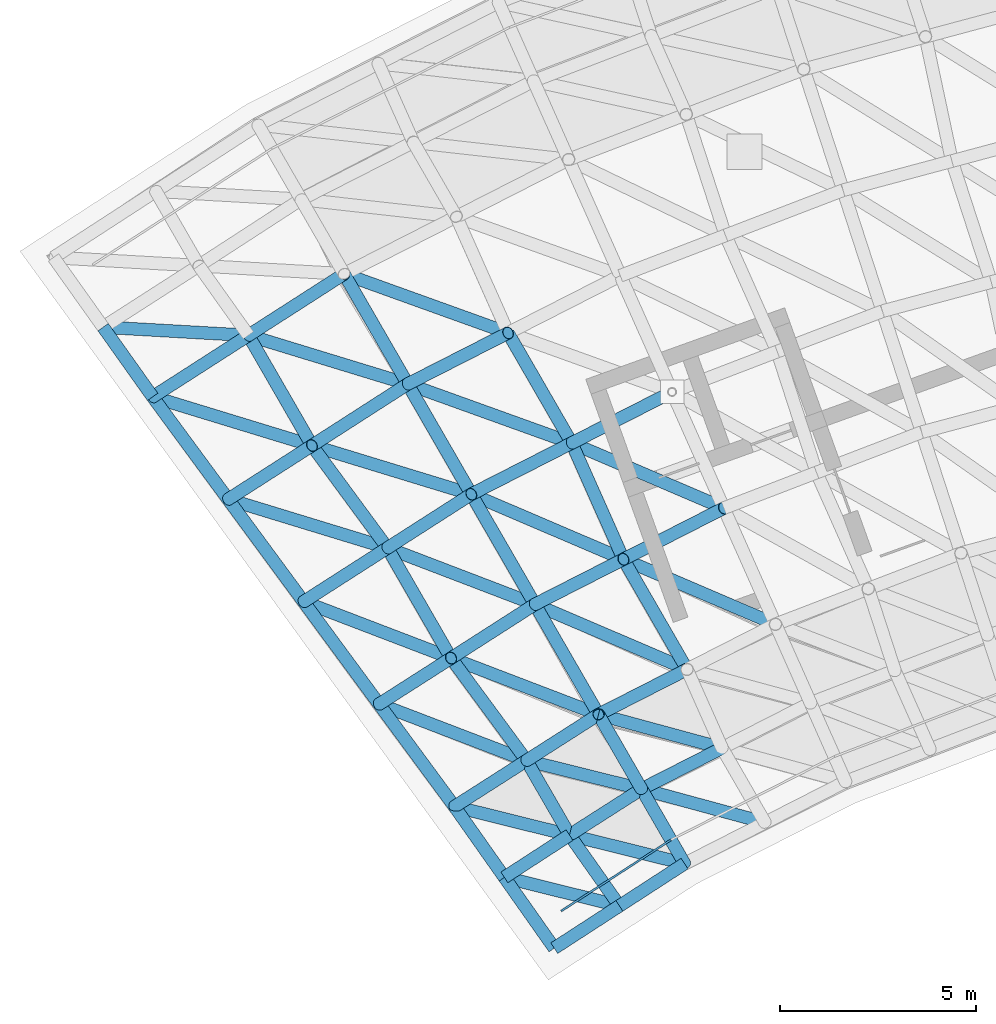
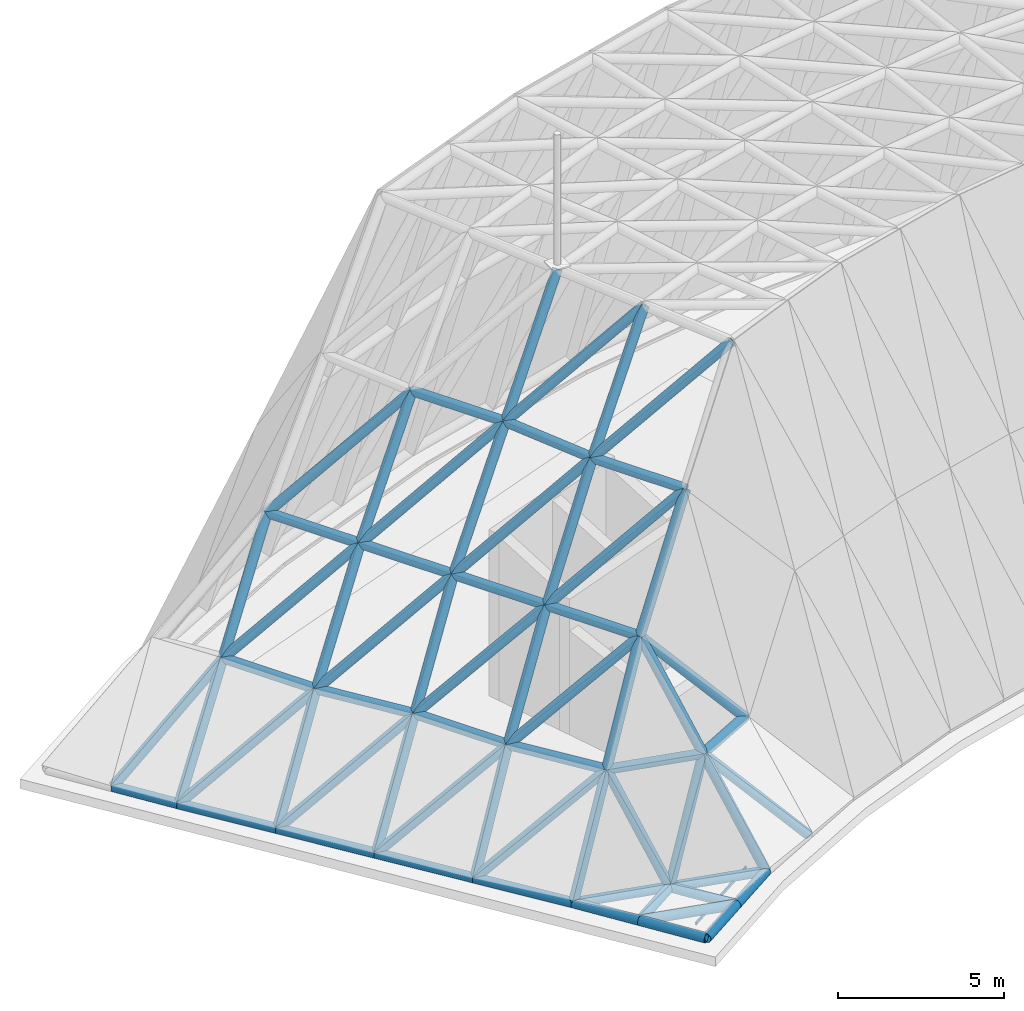
# One storey, part 1 of 20: 65 members.
"""IFC4 building model written with IfcOpenShell, lengths in metres."""

import ifcopenshell
import ifcopenshell.guid

model = None  # the IFC model being written
_history = None  # IfcOwnerHistory: only IFC2X3 demands one
_inside = {}  # id of a spatial element -> (the spatial element, [elements in it])
_under = {}  # id of a project, library or spatial element -> (it, [spatial elements below it])
_declared = {}  # id of a project -> (the project, [libraries it declares])
_typed = {}  # id of a type object -> (the type object, [elements of that type])
_made_of = {}  # id of a material, layer set ... -> (it, [elements and type objects made of it])


def new_model(schema):
    """Start an empty IFC model of exactly this schema.

    Asked for "IFC4X3", IfcOpenShell would pick the latest addendum, in which some entities
    have other attributes; the version numbers below select the first issue.
    IFC2X3 requires an IfcOwnerHistory on every rooted entity: one is made here for all.
    """
    global model, _history
    if schema == "IFC4X3":
        model = ifcopenshell.file(schema_version=(4, 3, 0, 0))
    else:
        model = ifcopenshell.file(schema=schema)
    _inside.clear()
    _under.clear()
    _declared.clear()
    _typed.clear()
    _made_of.clear()
    _history = None
    if model.schema == "IFC2X3":
        org = make("IfcOrganization", Name="unknown")
        user = make(
            "IfcPersonAndOrganization",
            ThePerson=make("IfcPerson", FamilyName="unknown"),
            TheOrganization=org,
        )
        app = make(
            "IfcApplication",
            ApplicationDeveloper=org,
            Version="unknown",
            ApplicationFullName="unknown",
            ApplicationIdentifier="unknown",
        )
        _history = make(
            "IfcOwnerHistory",
            OwningUser=user,
            OwningApplication=app,
            ChangeAction="ADDED",
            CreationDate=0,
        )
    return model


def make(cls, **values):
    """One entity of the class cls with the attributes given. An attribute that is None is left unset."""
    return model.create_entity(
        cls, **{name: value for name, value in values.items() if value is not None}
    )


def rooted(cls, **values):
    """An entity with a GlobalId (a new one), such as an element, a storey or a relation."""
    return make(cls, GlobalId=ifcopenshell.guid.new(), OwnerHistory=_history, **values)


def si_unit(unit_type, name, prefix=None):
    """IfcSIUnit, for example si_unit("LENGTHUNIT", "METRE", prefix="MILLI")."""
    return make("IfcSIUnit", UnitType=unit_type, Prefix=prefix, Name=name)


def assignment(units):
    """IfcUnitAssignment: the units of a project."""
    return None if units is None else make("IfcUnitAssignment", Units=units)


def point(xyz):
    """IfcCartesianPoint."""
    return None if xyz is None else make("IfcCartesianPoint", Coordinates=xyz)


def direction(xyz):
    """IfcDirection."""
    return None if xyz is None else make("IfcDirection", DirectionRatios=xyz)


def frame(location, z_axis=None, x_axis=None):
    """IfcAxis2Placement3D, a coordinate frame: its origin and axes. An axis left out is left unset."""
    return make(
        "IfcAxis2Placement3D",
        Location=point(location),
        Axis=direction(z_axis),
        RefDirection=direction(x_axis),
    )


def frame_2d(location, x_axis=None):
    """IfcAxis2Placement2D, a coordinate frame in the plane: its origin and x axis."""
    return make(
        "IfcAxis2Placement2D", Location=point(location), RefDirection=direction(x_axis)
    )


def origin():
    """The frame at (0, 0, 0) with its axes left unset."""
    return frame((0.0, 0.0, 0.0))


def origin_2d():
    """The frame at (0, 0) in the plane with its x axis left unset."""
    return frame_2d((0.0, 0.0))


def place(relative_to, where):
    """IfcLocalPlacement: puts the frame where relative to a parent placement (None: the world)."""
    return make(
        "IfcLocalPlacement", PlacementRelTo=relative_to, RelativePlacement=where
    )


def context(
    kind, dimensions, precision=None, world=None, true_north=None, identifier=None
):
    """IfcGeometricRepresentationContext, for example the 3D "Model" context."""
    return make(
        "IfcGeometricRepresentationContext",
        ContextIdentifier=identifier,
        ContextType=kind,
        CoordinateSpaceDimension=dimensions,
        Precision=precision,
        WorldCoordinateSystem=world,
        TrueNorth=true_north,
    )


def subcontext(parent, identifier, kind, view, scale=None):
    """IfcGeometricRepresentationSubContext, for example "Body" below "Model"."""
    return make(
        "IfcGeometricRepresentationSubContext",
        ContextIdentifier=identifier,
        ContextType=kind,
        ParentContext=parent,
        TargetScale=scale,
        TargetView=view,
    )


def project(units=None, contexts=None):
    """IfcProject with its units and contexts."""
    return rooted(
        "IfcProject",
        Name="project",
        RepresentationContexts=contexts,
        UnitsInContext=assignment(units),
    )


def spatial(cls, under=None, at=None, **own):
    """A site, building, storey or space (cls), placed at a placement, below another one or the project."""
    s = rooted(cls, ObjectPlacement=at, **own)
    if under is not None:
        _under.setdefault(under.id(), (under, []))[1].append(s)
    return s


def profile(cls, at=None, kind="AREA", **sizes):
    """A parametric profile (cls). Its sizes go by their IFC names, for example OverallWidth=200.0."""
    return make(cls, ProfileType=kind, Position=at, **sizes)


def rectangle(**sizes):
    """IfcRectangleProfileDef."""
    return profile("IfcRectangleProfileDef", **sizes)


def hollow_circle(**sizes):
    """IfcCircleHollowProfileDef."""
    return profile("IfcCircleHollowProfileDef", **sizes)


def extrude(swept, where, along, depth):
    """IfcExtrudedAreaSolid: the profile swept, set in the frame where, extruded along a direction by depth."""
    return make(
        "IfcExtrudedAreaSolid",
        SweptArea=swept,
        Position=where,
        ExtrudedDirection=direction(along),
        Depth=depth,
    )


def shape(context_of_items, identifier, shape_type, items):
    """IfcShapeRepresentation: the items that make up one representation, for example the "Body"."""
    return make(
        "IfcShapeRepresentation",
        ContextOfItems=context_of_items,
        RepresentationIdentifier=identifier,
        RepresentationType=shape_type,
        Items=items,
    )


def material(Name=None, Category=None):
    """IfcMaterial."""
    return make("IfcMaterial", Name=Name, Category=Category)


def material_profile(
    of_material, cross_section, Name=None, Category=None, Priority=None
):
    """IfcMaterialProfile: a cross section and its material."""
    return make(
        "IfcMaterialProfile",
        Name=Name,
        Material=of_material,
        Profile=cross_section,
        Priority=Priority,
        Category=Category,
    )


def profile_set(profiles, Name=None, composite=None):
    """IfcMaterialProfileSet."""
    return make(
        "IfcMaterialProfileSet",
        Name=Name,
        MaterialProfiles=profiles,
        CompositeProfile=composite,
    )


def made_of(thing, what):
    """Note that an element or type object is made of a material, layer set ...; save() writes the relation."""
    if what is not None:
        _made_of.setdefault(what.id(), (what, []))[1].append(thing)
    return thing


def type_object(cls, material=None, **own):
    """A type object (cls), such as IfcWallType, which elements share."""
    return made_of(rooted(cls, **own), material)


def element(
    cls,
    number,
    at=None,
    inside=None,
    cuts=None,
    type_object=None,
    material=None,
    context=None,
    identifier="Body",
    shape_type=None,
    held_by="IfcProductDefinitionShape",
    body=None,
    shapes=None,
    **own,
):
    """One element of the class cls, such as IfcWall. Its Tag is "e" and its number.

    at: its placement. inside: the storey or other place that contains it. cuts: it is an
    opening in that element (IfcRelVoidsElement). A single representation is given by context,
    identifier, shape_type and body (its items); several are given by shapes. held_by: the class
    of the entity that holds the representations. save() writes the other relations.
    """
    e = rooted(cls, Tag="e%d" % number, ObjectPlacement=at, **own)
    if body is not None:
        shapes = [shape(context, identifier, shape_type, body)]
    if shapes is not None:
        e.Representation = make(held_by, Representations=shapes)
    if inside is not None:
        _inside.setdefault(inside.id(), (inside, []))[1].append(e)
    if cuts is not None:
        rooted(
            "IfcRelVoidsElement", RelatingBuildingElement=cuts, RelatedOpeningElement=e
        )
    if type_object is not None:
        _typed.setdefault(type_object.id(), (type_object, []))[1].append(e)
    return made_of(e, material)


def aggregate(whole, parts):
    """IfcRelAggregates: a whole, such as a stair, and the parts it consists of."""
    return rooted("IfcRelAggregates", RelatingObject=whole, RelatedObjects=parts)


def save(model, path):
    """Write the relations noted so far, then the file.

    IfcRelAggregates (storeys below a building ...), IfcRelContainedInSpatialStructure (elements
    in a storey), IfcRelDefinesByType, IfcRelAssociatesMaterial and IfcRelDeclares: one each for
    every whole, place, type object, material and project.
    """
    for whole, parts in _under.values():
        aggregate(whole, parts)
    for where, things in _inside.values():
        rooted(
            "IfcRelContainedInSpatialStructure",
            RelatedElements=things,
            RelatingStructure=where,
        )
    for kind, things in _typed.values():
        rooted("IfcRelDefinesByType", RelatedObjects=things, RelatingType=kind)
    for what, things in _made_of.values():
        rooted("IfcRelAssociatesMaterial", RelatedObjects=things, RelatingMaterial=what)
    for by, libraries in _declared.values():
        rooted("IfcRelDeclares", RelatingContext=by, RelatedDefinitions=libraries)
    model.write(path)


model = new_model("IFC4")

# Units and contexts
model_context = context("Model", 3, precision=1e-05, world=origin(), true_north=direction((0.0, 1.0)))
body_context = subcontext(model_context, "Body", "Model", "MODEL_VIEW")
ifc_project = project(units=[si_unit("LENGTHUNIT", "METRE"), si_unit("AREAUNIT", "SQUARE_METRE"), si_unit("VOLUMEUNIT", "CUBIC_METRE"), si_unit("PLANEANGLEUNIT", "RADIAN"), si_unit("MASSUNIT", "GRAM", prefix="KILO")], contexts=[model_context])

# Site, building, storey
site_placement = place(None, origin())
site = spatial("IfcSite", under=ifc_project, at=site_placement, CompositionType="ELEMENT")
building_placement = place(site_placement, origin())
building = spatial("IfcBuilding", under=site, at=building_placement, Name="Stone Belt Terrace Tower", CompositionType="ELEMENT")
storey_placement = place(building_placement, frame((0.0, 0.0, 337.39990234375)))
storey = spatial("IfcBuildingStorey", under=building, at=storey_placement, Name="RF", CompositionType="ELEMENT", Elevation=337.39990234375)

# Members
ifc_material_1 = material(Name="Structural steel C345", Category="steel")
ifc_material_profile_1 = material_profile(ifc_material_1, hollow_circle(Radius=0.16259765625, WallThickness=0.011962890625, at=origin_2d()), Name="Structural steel C345 CHS 325x12")
ifc_profile_set_1 = profile_set([ifc_material_profile_1], Name="Structural steel C345")
member_type_1 = type_object("IfcMemberType", Name="Crown frame tube CHS 325 x 12", PredefinedType="RAFTER", material=ifc_profile_set_1)
member_1_placement = place(storey_placement, frame((-30.750244140625, 53.260498046875, 7.2802734375), z_axis=(-0.532227998514, -0.341854341863, -0.774512082893), x_axis=(0.54043066328, -0.841388553634, 0.0)))
element("IfcMember", 1, at=member_1_placement, inside=storey, type_object=member_type_1, Name="CROWN FRAME rafter 17", PredefinedType="RAFTER", context=body_context, shape_type="SweptSolid", body=[
    extrude(hollow_circle(Radius=0.16259765625, WallThickness=0.011962890625, at=origin_2d()), origin(), (0.0, 0.0, 1.0), 4.594970703125),
])
member_2_placement = place(storey_placement, frame((-30.750244140625, 53.260498046875, 7.2802734375), z_axis=(0.704596304109, -0.253559420474, 0.662760641955), x_axis=(0.338606862378, 0.940927942379, 0.0)))
element("IfcMember", 2, at=member_2_placement, inside=storey, type_object=member_type_1, Name="CROWN FRAME rafter 20", PredefinedType="RAFTER", context=body_context, shape_type="SweptSolid", body=[
    extrude(hollow_circle(Radius=0.16259765625, WallThickness=0.011962890625, at=origin_2d()), origin(), (0.0, 0.0, 1.0), 5.946533203125),
])
member_3_placement = place(storey_placement, frame((-36.908203125, 51.900146484375, 0.16259765625), z_axis=(0.721275825961, -0.040887791791, 0.691440070698), x_axis=(0.056597283362, 0.998397089096, 0.0)))
element("IfcMember", 3, at=member_3_placement, inside=storey, type_object=member_type_1, Name="CROWN FRAME rafter 21", PredefinedType="RAFTER", context=body_context, shape_type="SweptSolid", body=[
    extrude(hollow_circle(Radius=0.16259765625, WallThickness=0.011962890625, at=origin_2d()), origin(), (0.0, 0.0, 1.0), 5.14697265625),
])
member_4_placement = place(storey_placement, frame((-33.19580078125, 51.689697265625, 3.721435546875), z_axis=(-0.532275745532, -0.341797751148, -0.774504246618), x_axis=(0.540333004351, -0.841451272748, 0.0)))
element("IfcMember", 4, at=member_4_placement, inside=storey, type_object=member_type_1, Name="CROWN FRAME rafter 23", PredefinedType="RAFTER", context=body_context, shape_type="SweptSolid", body=[
    extrude(hollow_circle(Radius=0.16259765625, WallThickness=0.011962890625, at=origin_2d()), origin(), (0.0, 0.0, 1.0), 4.594970703125),
])
for number, where, z_axis, x_axis, name in (
    (5, (-33.19580078125, 51.689697265625, 3.721435546875), (0.733704925305, -0.224150946953, 0.64143077223), (0.292174819562, 0.956364927637, 0.0), "CROWN FRAME rafter 25"),
    (6, (-35.6416015625, 50.119140625, 0.16259765625), (0.73369768795, -0.224192738401, 0.641424445079), (0.292227278587, 0.956348899539, 0.0), "CROWN FRAME rafter 26"),
):
    element("IfcMember", number, at=place(storey_placement, frame(where, z_axis=z_axis, x_axis=x_axis)), inside=storey, type_object=member_type_1, Name=name, PredefinedType="RAFTER", context=body_context, shape_type="SweptSolid", body=[
        extrude(hollow_circle(Radius=0.16259765625, WallThickness=0.011962890625, at=origin_2d()), origin(), (0.0, 0.0, 1.0), 5.54833984375),
    ])
member_5_placement = place(storey_placement, frame((-31.57080078125, 48.875244140625, 3.721435546875), z_axis=(0.532266078716, 0.341844674631, 0.774490180619), x_axis=(-0.540392471391, 0.841413083369, 0.0)))
element("IfcMember", 7, at=member_5_placement, inside=storey, type_object=member_type_1, Name="CROWN FRAME rafter 28", PredefinedType="RAFTER", context=body_context, shape_type="SweptSolid", body=[
    extrude(hollow_circle(Radius=0.16259765625, WallThickness=0.011962890625, at=origin_2d()), origin(), (0.0, 0.0, 1.0), 4.594970703125),
])
member_6_placement = place(storey_placement, frame((-31.57080078125, 48.875244140625, 3.721435546875), z_axis=(0.73369768795, -0.224192738401, 0.641424445079), x_axis=(0.292227278587, 0.956348899539, 0.0)))
element("IfcMember", 8, at=member_6_placement, inside=storey, type_object=member_type_1, Name="CROWN FRAME rafter 29", PredefinedType="RAFTER", context=body_context, shape_type="SweptSolid", body=[
    extrude(hollow_circle(Radius=0.16259765625, WallThickness=0.011962890625, at=origin_2d()), origin(), (0.0, 0.0, 1.0), 5.54833984375),
])
member_7_placement = place(storey_placement, frame((-31.57080078125, 48.875244140625, 3.721435546875), z_axis=(-0.489758296584, -0.313876087306, -0.813399417718), x_axis=(0.539578947785, -0.841935008838, 0.0)))
element("IfcMember", 9, at=member_7_placement, inside=storey, type_object=member_type_1, Name="CROWN FRAME rafter 30", PredefinedType="RAFTER", context=body_context, shape_type="SweptSolid", body=[
    extrude(hollow_circle(Radius=0.16259765625, WallThickness=0.011962890625, at=origin_2d()), origin(), (0.0, 0.0, 1.0), 4.375244140625),
])
member_8_placement = place(storey_placement, frame((-29.125, 50.446044921875, 7.2802734375), z_axis=(0.525515861349, 0.267735448828, 0.807558548287), x_axis=(-0.453952464028, 0.891025903329, 0.0)))
element("IfcMember", 10, at=member_8_placement, inside=storey, type_object=member_type_1, Name="CROWN FRAME rafter 33", PredefinedType="RAFTER", context=body_context, shape_type="SweptSolid", body=[
    extrude(hollow_circle(Radius=0.16259765625, WallThickness=0.011962890625, at=origin_2d()), origin(), (0.0, 0.0, 1.0), 4.88037109375),
])
member_9_placement = place(storey_placement, frame((-29.125, 50.446044921875, 7.2802734375), z_axis=(0.704575629906, -0.253566755451, 0.662779814322), x_axis=(0.338624331117, 0.940921655812, 0.0)))
element("IfcMember", 11, at=member_9_placement, inside=storey, type_object=member_type_1, Name="CROWN FRAME rafter 34", PredefinedType="RAFTER", context=body_context, shape_type="SweptSolid", body=[
    extrude(hollow_circle(Radius=0.16259765625, WallThickness=0.011962890625, at=origin_2d()), origin(), (0.0, 0.0, 1.0), 5.946533203125),
])
member_10_placement = place(storey_placement, frame((-27.5, 47.63134765625, 7.2802734375), z_axis=(-0.489766873844, -0.313825783126, -0.813413662985), x_axis=(0.539510945529, -0.841978586221, 0.0)))
element("IfcMember", 12, at=member_10_placement, inside=storey, type_object=member_type_1, Name="CROWN FRAME rafter 35", PredefinedType="RAFTER", context=body_context, shape_type="SweptSolid", body=[
    extrude(hollow_circle(Radius=0.16259765625, WallThickness=0.011962890625, at=origin_2d()), origin(), (0.0, 0.0, 1.0), 4.375244140625),
])
member_11_placement = place(storey_placement, frame((-27.5, 47.63134765625, 7.2802734375), z_axis=(0.525508822311, 0.267781887276, 0.807547731419), x_axis=(-0.454019800421, 0.890991594139, 0.0)))
element("IfcMember", 13, at=member_11_placement, inside=storey, type_object=member_type_1, Name="CROWN FRAME rafter 37", PredefinedType="RAFTER", context=body_context, shape_type="SweptSolid", body=[
    extrude(hollow_circle(Radius=0.16259765625, WallThickness=0.011962890625, at=origin_2d()), origin(), (0.0, 0.0, 1.0), 4.88037109375),
])
member_12_placement = place(storey_placement, frame((-27.5, 47.63134765625, 7.2802734375), z_axis=(0.672507622543, -0.287589943107, 0.681927798411), x_axis=(0.393194254528, 0.919455424807, 0.0)))
element("IfcMember", 14, at=member_12_placement, inside=storey, type_object=member_type_1, Name="CROWN FRAME rafter 38", PredefinedType="RAFTER", context=body_context, shape_type="SweptSolid", body=[
    extrude(hollow_circle(Radius=0.16259765625, WallThickness=0.011962890625, at=origin_2d()), origin(), (0.0, 0.0, 1.0), 5.779541015625),
])
member_13_placement = place(storey_placement, frame((-33.713623046875, 47.501953125, 0.16259765625), z_axis=(0.733704925305, -0.224150946953, 0.64143077223), x_axis=(0.292174819562, 0.956364927637, 0.0)))
element("IfcMember", 15, at=member_13_placement, inside=storey, type_object=member_type_1, Name="CROWN FRAME rafter 39", PredefinedType="RAFTER", context=body_context, shape_type="SweptSolid", body=[
    extrude(hollow_circle(Radius=0.16259765625, WallThickness=0.011962890625, at=origin_2d()), origin(), (0.0, 0.0, 1.0), 5.54833984375),
])
member_14_placement = place(storey_placement, frame((-29.642822265625, 46.25830078125, 3.721435546875), z_axis=(-0.489715879065, -0.313884664966, -0.813421646436), x_axis=(0.539622528456, -0.841907077285, 0.0)))
element("IfcMember", 16, at=member_14_placement, inside=storey, type_object=member_type_1, Name="CROWN FRAME rafter 41", PredefinedType="RAFTER", context=body_context, shape_type="SweptSolid", body=[
    extrude(hollow_circle(Radius=0.16259765625, WallThickness=0.011962890625, at=origin_2d()), origin(), (0.0, 0.0, 1.0), 4.375244140625),
])
for number, where, z_axis, x_axis, name in (
    (17, (-29.642822265625, 46.25830078125, 3.721435546875), (0.700398437662, -0.267942226136, 0.661550445525), (0.35730362498, 0.933988286638, 0.0), "CROWN FRAME rafter 43"),
    (18, (-31.785400390625, 44.885009765625, 0.16259765625), (0.700398437662, -0.267942226136, 0.661550445525), (0.35730362498, 0.933988286638, 0.0), "CROWN FRAME rafter 44"),
):
    element("IfcMember", number, at=place(storey_placement, frame(where, z_axis=z_axis, x_axis=x_axis)), inside=storey, type_object=member_type_1, Name=name, PredefinedType="RAFTER", context=body_context, shape_type="SweptSolid", body=[
        extrude(hollow_circle(Radius=0.16259765625, WallThickness=0.011962890625, at=origin_2d()), origin(), (0.0, 0.0, 1.0), 5.379638671875),
    ])
member_15_placement = place(storey_placement, frame((-28.017578125, 43.443603515625, 3.721435546875), z_axis=(0.489715879065, 0.313884664966, 0.813421646436), x_axis=(-0.539622528456, 0.841907077285, 0.0)))
element("IfcMember", 19, at=member_15_placement, inside=storey, type_object=member_type_1, Name="CROWN FRAME rafter 46", PredefinedType="RAFTER", context=body_context, shape_type="SweptSolid", body=[
    extrude(hollow_circle(Radius=0.16259765625, WallThickness=0.011962890625, at=origin_2d()), origin(), (0.0, 0.0, 1.0), 4.375244140625),
])
member_16_placement = place(storey_placement, frame((-28.017578125, 43.443603515625, 3.721435546875), z_axis=(0.700398437662, -0.267942226136, 0.661550445525), x_axis=(0.35730362498, 0.933988286638, 0.0)))
element("IfcMember", 20, at=member_16_placement, inside=storey, type_object=member_type_1, Name="CROWN FRAME rafter 47", PredefinedType="RAFTER", context=body_context, shape_type="SweptSolid", body=[
    extrude(hollow_circle(Radius=0.16259765625, WallThickness=0.011962890625, at=origin_2d()), origin(), (0.0, 0.0, 1.0), 5.379638671875),
])
member_17_placement = place(storey_placement, frame((-28.017578125, 43.443603515625, 3.721435546875), z_axis=(-0.440660728327, -0.281552734461, -0.852376783018), x_axis=(0.538415746129, -0.842679348459, 0.0)))
element("IfcMember", 21, at=member_17_placement, inside=storey, type_object=member_type_1, Name="CROWN FRAME rafter 48", PredefinedType="RAFTER", context=body_context, shape_type="SweptSolid", body=[
    extrude(hollow_circle(Radius=0.16259765625, WallThickness=0.011962890625, at=origin_2d()), origin(), (0.0, 0.0, 1.0), 4.17529296875),
])
member_18_placement = place(storey_placement, frame((-25.875, 44.81689453125, 7.2802734375), z_axis=(0.48246299937, 0.245814481544, 0.840716774486), x_axis=(-0.453971886549, 0.891016007838, 0.0)))
element("IfcMember", 22, at=member_18_placement, inside=storey, type_object=member_type_1, Name="CROWN FRAME rafter 51", PredefinedType="RAFTER", context=body_context, shape_type="SweptSolid", body=[
    extrude(hollow_circle(Radius=0.16259765625, WallThickness=0.011962890625, at=origin_2d()), origin(), (0.0, 0.0, 1.0), 4.687744140625),
])
member_19_placement = place(storey_placement, frame((-25.875, 44.81689453125, 7.2802734375), z_axis=(0.672499452035, -0.287628691514, 0.681919513455), x_axis=(0.393243078621, 0.919434544227, 0.0)))
element("IfcMember", 23, at=member_19_placement, inside=storey, type_object=member_type_1, Name="CROWN FRAME rafter 52", PredefinedType="RAFTER", context=body_context, shape_type="SweptSolid", body=[
    extrude(hollow_circle(Radius=0.16259765625, WallThickness=0.011962890625, at=origin_2d()), origin(), (0.0, 0.0, 1.0), 5.779541015625),
])
member_20_placement = place(storey_placement, frame((-24.249755859375, 42.002197265625, 7.2802734375), z_axis=(-0.440660728327, -0.281552734461, -0.852376783018), x_axis=(0.538415746129, -0.842679348459, 0.0)))
element("IfcMember", 24, at=member_20_placement, inside=storey, type_object=member_type_1, Name="CROWN FRAME rafter 53", PredefinedType="RAFTER", context=body_context, shape_type="SweptSolid", body=[
    extrude(hollow_circle(Radius=0.16259765625, WallThickness=0.011962890625, at=origin_2d()), origin(), (0.0, 0.0, 1.0), 4.17529296875),
])
member_21_placement = place(storey_placement, frame((-24.249755859375, 42.002197265625, 7.2802734375), z_axis=(0.262836833842, -0.455295954181, -0.850659974891), x_axis=(0.866048801325, 0.49995947208, 0.0)))
element("IfcMember", 25, at=member_21_placement, inside=storey, type_object=member_type_1, Name="CROWN FRAME rafter 54", PredefinedType="RAFTER", context=body_context, shape_type="SweptSolid", body=[
    extrude(hollow_circle(Radius=0.16259765625, WallThickness=0.011962890625, at=origin_2d()), origin(), (0.0, 0.0, 1.0), 4.18359375),
])
member_22_placement = place(storey_placement, frame((-24.249755859375, 42.002197265625, 7.2802734375), z_axis=(0.482423041061, 0.245820657866, 0.840737898289), x_axis=(-0.454010794093, 0.890996183408, 0.0)))
element("IfcMember", 26, at=member_22_placement, inside=storey, type_object=member_type_1, Name="CROWN FRAME rafter 55", PredefinedType="RAFTER", context=body_context, shape_type="SweptSolid", body=[
    extrude(hollow_circle(Radius=0.16259765625, WallThickness=0.011962890625, at=origin_2d()), origin(), (0.0, 0.0, 1.0), 4.687744140625),
])
member_23_placement = place(storey_placement, frame((-24.249755859375, 42.002197265625, 7.2802734375), z_axis=(0.652981765047, -0.177300688119, -0.736328242368), x_axis=(0.262037048697, 0.965057814388, 0.0)))
element("IfcMember", 27, at=member_23_placement, inside=storey, type_object=member_type_1, Name="CROWN FRAME rafter 56", PredefinedType="RAFTER", context=body_context, shape_type="SweptSolid", body=[
    extrude(hollow_circle(Radius=0.16259765625, WallThickness=0.011962890625, at=origin_2d()), origin(), (0.0, 0.0, 1.0), 4.833251953125),
])
member_24_placement = place(storey_placement, frame((-29.857421875, 42.26806640625, 0.16259765625), z_axis=(0.700398437662, -0.267942226136, 0.661550445525), x_axis=(0.35730362498, 0.933988286638, 0.0)))
element("IfcMember", 28, at=member_24_placement, inside=storey, type_object=member_type_1, Name="CROWN FRAME rafter 57", PredefinedType="RAFTER", context=body_context, shape_type="SweptSolid", body=[
    extrude(hollow_circle(Radius=0.16259765625, WallThickness=0.011962890625, at=origin_2d()), origin(), (0.0, 0.0, 1.0), 5.379638671875),
])
member_25_placement = place(storey_placement, frame((-26.089599609375, 40.82666015625, 3.721435546875), z_axis=(-0.440660728327, -0.281552734461, -0.852376783018), x_axis=(0.538415746129, -0.842679348459, 0.0)))
element("IfcMember", 29, at=member_25_placement, inside=storey, type_object=member_type_1, Name="CROWN FRAME rafter 59", PredefinedType="RAFTER", context=body_context, shape_type="SweptSolid", body=[
    extrude(hollow_circle(Radius=0.16259765625, WallThickness=0.011962890625, at=origin_2d()), origin(), (0.0, 0.0, 1.0), 4.17529296875),
])
member_26_placement = place(storey_placement, frame((-26.089599609375, 40.82666015625, 3.721435546875), z_axis=(0.262891157464, -0.455288970152, -0.85064692616), x_axis=(0.866000736692, 0.500042722224, 0.0)))
element("IfcMember", 30, at=member_26_placement, inside=storey, type_object=member_type_1, Name="CROWN FRAME rafter 60", PredefinedType="RAFTER", context=body_context, shape_type="SweptSolid", body=[
    extrude(hollow_circle(Radius=0.16259765625, WallThickness=0.011962890625, at=origin_2d()), origin(), (0.0, 0.0, 1.0), 4.18359375),
])
member_27_placement = place(storey_placement, frame((-24.98974609375, 38.921875, 0.16259765625), z_axis=(0.440613607026, 0.281559989095, 0.852398745802), x_axis=(-0.538466484222, 0.842646928061, 0.0)))
element("IfcMember", 31, at=member_27_placement, inside=storey, type_object=member_type_1, Name="CROWN FRAME rafter 64", PredefinedType="RAFTER", context=body_context, shape_type="SweptSolid", body=[
    extrude(hollow_circle(Radius=0.16259765625, WallThickness=0.011962890625, at=origin_2d()), origin(), (0.0, 0.0, 1.0), 4.175048828125),
])
member_28_placement = place(storey_placement, frame((-23.150146484375, 40.097412109375, 3.721435546875), z_axis=(0.26288417265, -0.455335227345, -0.850624325133), x_axis=(0.866028486751, 0.499994660107, 0.0)))
element("IfcMember", 32, at=member_28_placement, inside=storey, type_object=member_type_1, Name="CROWN FRAME rafter 68", PredefinedType="RAFTER", context=body_context, shape_type="SweptSolid", body=[
    extrude(hollow_circle(Radius=0.16259765625, WallThickness=0.011962890625, at=origin_2d()), origin(), (0.0, 0.0, 1.0), 4.183837890625),
])
member_29_placement = place(storey_placement, frame((-23.150146484375, 40.097412109375, 3.721435546875), z_axis=(0.6530048899, -0.177343763029, -0.736297360773), x_axis=(0.262087693418, 0.965044061667, 0.0)))
element("IfcMember", 33, at=member_29_placement, inside=storey, type_object=member_type_1, Name="CROWN FRAME rafter 70", PredefinedType="RAFTER", context=body_context, shape_type="SweptSolid", body=[
    extrude(hollow_circle(Radius=0.16259765625, WallThickness=0.011962890625, at=origin_2d()), origin(), (0.0, 0.0, 1.0), 4.83349609375),
])
member_30_placement = place(storey_placement, frame((-22.37060546875, 50.2451171875, 15.16259765625), z_axis=(-0.525508822311, -0.267781887276, -0.807547731419), x_axis=(0.454019800421, -0.890991594139, 0.0)))
element("IfcMember", 34, at=member_30_placement, inside=storey, type_object=member_type_1, Name="CROWN FRAME rafter 100", PredefinedType="RAFTER", context=body_context, shape_type="SweptSolid", body=[
    extrude(hollow_circle(Radius=0.16259765625, WallThickness=0.011962890625, at=origin_2d()), origin(), (0.0, 0.0, 1.0), 4.88037109375),
])
member_31_placement = place(storey_placement, frame((-24.935302734375, 48.938232421875, 11.221435546875), z_axis=(0.672499452035, -0.287628691514, 0.681919513455), x_axis=(0.393243078621, 0.919434544227, 0.0)))
element("IfcMember", 35, at=member_31_placement, inside=storey, type_object=member_type_1, Name="CROWN FRAME rafter 105", PredefinedType="RAFTER", context=body_context, shape_type="SweptSolid", body=[
    extrude(hollow_circle(Radius=0.16259765625, WallThickness=0.011962890625, at=origin_2d()), origin(), (0.0, 0.0, 1.0), 5.779541015625),
])
member_32_placement = place(storey_placement, frame((-23.61328125, 45.96923828125, 11.221435546875), z_axis=(0.525515861349, 0.267735448828, 0.807558548287), x_axis=(-0.453952464028, 0.891025903329, 0.0)))
element("IfcMember", 36, at=member_32_placement, inside=storey, type_object=member_type_1, Name="CROWN FRAME rafter 106", PredefinedType="RAFTER", context=body_context, shape_type="SweptSolid", body=[
    extrude(hollow_circle(Radius=0.16259765625, WallThickness=0.011962890625, at=origin_2d()), origin(), (0.0, 0.0, 1.0), 4.88037109375),
])
member_33_placement = place(storey_placement, frame((-23.61328125, 45.96923828125, 11.221435546875), z_axis=(0.672476312992, -0.287636862564, 0.681938885648), x_axis=(0.39326396103, 0.919425612518, 0.0)))
element("IfcMember", 37, at=member_33_placement, inside=storey, type_object=member_type_1, Name="CROWN FRAME rafter 107", PredefinedType="RAFTER", context=body_context, shape_type="SweptSolid", body=[
    extrude(hollow_circle(Radius=0.16259765625, WallThickness=0.011962890625, at=origin_2d()), origin(), (0.0, 0.0, 1.0), 5.779296875),
])
ifc_material_profile_2 = material_profile(ifc_material_1, hollow_circle(Radius=0.16259765625, WallThickness=0.011962890625, at=origin_2d()), Name="Structural steel C345 CHS 325x12")
ifc_profile_set_2 = profile_set([ifc_material_profile_2], Name="Structural steel C345")
member_type_2 = type_object("IfcMemberType", Name="Crown ring and ridge tube CHS 325 x 12", PredefinedType="CHORD", material=ifc_profile_set_2)
member_34_placement = place(storey_placement, frame((-30.750244140625, 53.260498046875, 7.2802734375), z_axis=(0.50007358365, -0.865982916076, 0.0), x_axis=(0.865982916076, 0.50007358365, 0.0)))
element("IfcMember", 38, at=member_34_placement, inside=storey, type_object=member_type_2, Name="CROWN FRAME cap beam 18", PredefinedType="CHORD", context=body_context, shape_type="SweptSolid", body=[
    extrude(hollow_circle(Radius=0.16259765625, WallThickness=0.011962890625, at=origin_2d()), origin(), (0.0, 0.0, 1.0), 3.25),
])
member_35_placement = place(storey_placement, frame((-36.908203125, 51.900146484375, 0.16259765625), z_axis=(0.579556760604, -0.814931875213, 0.0), x_axis=(0.814931875213, 0.579556760604, 0.0)))
element("IfcMember", 39, at=member_35_placement, inside=storey, type_object=member_type_2, Name="CROWN FRAME ring beam 22", PredefinedType="CHORD", context=body_context, shape_type="SweptSolid", body=[
    extrude(hollow_circle(Radius=0.16259765625, WallThickness=0.011962890625, at=origin_2d()), origin(), (0.0, 0.0, 1.0), 2.185546875),
])
member_36_placement = place(storey_placement, frame((-33.19580078125, 51.689697265625, 3.721435546875), z_axis=(0.500017246033, -0.866015446554, 0.0), x_axis=(0.866015446554, 0.500017246033, 0.0)))
element("IfcMember", 40, at=member_36_placement, inside=storey, type_object=member_type_2, Name="CROWN FRAME cap beam 24", PredefinedType="CHORD", context=body_context, shape_type="SweptSolid", body=[
    extrude(hollow_circle(Radius=0.16259765625, WallThickness=0.011962890625, at=origin_2d()), origin(), (0.0, 0.0, 1.0), 3.25),
])
member_37_placement = place(storey_placement, frame((-35.6416015625, 50.119140625, 0.16259765625), z_axis=(0.593104242519, -0.805125678081, 0.0), x_axis=(0.805125678081, 0.593104242519, 0.0)))
element("IfcMember", 41, at=member_37_placement, inside=storey, type_object=member_type_2, Name="CROWN FRAME ring beam 27", PredefinedType="CHORD", context=body_context, shape_type="SweptSolid", body=[
    extrude(hollow_circle(Radius=0.16259765625, WallThickness=0.011962890625, at=origin_2d()), origin(), (0.0, 0.0, 1.0), 3.250732421875),
])
member_38_placement = place(storey_placement, frame((-31.57080078125, 48.875244140625, 3.721435546875), z_axis=(0.593140108502, -0.805099255798, 0.0), x_axis=(0.805099255798, 0.593140108502, 0.0)))
element("IfcMember", 42, at=member_38_placement, inside=storey, type_object=member_type_2, Name="CROWN FRAME cap beam 31", PredefinedType="CHORD", context=body_context, shape_type="SweptSolid", body=[
    extrude(hollow_circle(Radius=0.16259765625, WallThickness=0.011962890625, at=origin_2d()), origin(), (0.0, 0.0, 1.0), 3.25048828125),
])
for number, where, z_axis, x_axis, name in (
    (43, (-29.125, 50.446044921875, 7.2802734375), (0.499984717929, -0.866034226713, 0.0), (0.866034226713, 0.499984717929, 0.0), "CROWN FRAME cap beam 32"),
    (44, (-27.5, 47.63134765625, 7.2802734375), (0.500017246033, -0.866015446554, 0.0), (0.866015446554, 0.500017246033, 0.0), "CROWN FRAME cap beam 36"),
):
    element("IfcMember", number, at=place(storey_placement, frame(where, z_axis=z_axis, x_axis=x_axis)), inside=storey, type_object=member_type_2, Name=name, PredefinedType="CHORD", context=body_context, shape_type="SweptSolid", body=[
        extrude(hollow_circle(Radius=0.16259765625, WallThickness=0.011962890625, at=origin_2d()), origin(), (0.0, 0.0, 1.0), 3.25),
    ])
member_39_placement = place(storey_placement, frame((-33.713623046875, 47.501953125, 0.16259765625), z_axis=(0.593188790118, -0.805063388361, 0.0), x_axis=(0.805063388361, 0.593188790118, 0.0)))
element("IfcMember", 45, at=member_39_placement, inside=storey, type_object=member_type_2, Name="CROWN FRAME ring beam 40", PredefinedType="CHORD", context=body_context, shape_type="SweptSolid", body=[
    extrude(hollow_circle(Radius=0.16259765625, WallThickness=0.011962890625, at=origin_2d()), origin(), (0.0, 0.0, 1.0), 3.25048828125),
])
member_40_placement = place(storey_placement, frame((-29.642822265625, 46.25830078125, 3.721435546875), z_axis=(0.500041054325, -0.866001699761, 0.0), x_axis=(0.866001699761, 0.500041054325, 0.0)))
element("IfcMember", 46, at=member_40_placement, inside=storey, type_object=member_type_2, Name="CROWN FRAME cap beam 42", PredefinedType="CHORD", context=body_context, shape_type="SweptSolid", body=[
    extrude(hollow_circle(Radius=0.16259765625, WallThickness=0.011962890625, at=origin_2d()), origin(), (0.0, 0.0, 1.0), 3.250244140625),
])
for number, where, z_axis, x_axis, name in (
    (47, (-31.785400390625, 44.885009765625, 0.16259765625), (0.593140108502, -0.805099255798, 0.0), (0.805099255798, 0.593140108502, 0.0), "CROWN FRAME ring beam 45"),
    (48, (-28.017578125, 43.443603515625, 3.721435546875), (0.593140108502, -0.805099255798, 0.0), (0.805099255798, 0.593140108502, 0.0), "CROWN FRAME cap beam 49"),
):
    element("IfcMember", number, at=place(storey_placement, frame(where, z_axis=z_axis, x_axis=x_axis)), inside=storey, type_object=member_type_2, Name=name, PredefinedType="CHORD", context=body_context, shape_type="SweptSolid", body=[
        extrude(hollow_circle(Radius=0.16259765625, WallThickness=0.011962890625, at=origin_2d()), origin(), (0.0, 0.0, 1.0), 3.25048828125),
    ])
member_41_placement = place(storey_placement, frame((-25.875, 44.81689453125, 7.2802734375), z_axis=(0.500041054325, -0.866001699761, 0.0), x_axis=(0.866001699761, 0.500041054325, 0.0)))
element("IfcMember", 49, at=member_41_placement, inside=storey, type_object=member_type_2, Name="CROWN FRAME cap beam 50", PredefinedType="CHORD", context=body_context, shape_type="SweptSolid", body=[
    extrude(hollow_circle(Radius=0.16259765625, WallThickness=0.011962890625, at=origin_2d()), origin(), (0.0, 0.0, 1.0), 3.250244140625),
])
member_42_placement = place(storey_placement, frame((-29.857421875, 42.26806640625, 0.16259765625), z_axis=(0.593140108502, -0.805099255798, 0.0), x_axis=(0.805099255798, 0.593140108502, 0.0)))
element("IfcMember", 50, at=member_42_placement, inside=storey, type_object=member_type_2, Name="CROWN FRAME ring beam 58", PredefinedType="CHORD", context=body_context, shape_type="SweptSolid", body=[
    extrude(hollow_circle(Radius=0.16259765625, WallThickness=0.011962890625, at=origin_2d()), origin(), (0.0, 0.0, 1.0), 3.25048828125),
])
member_43_placement = place(storey_placement, frame((-26.089599609375, 40.82666015625, 3.721435546875), z_axis=(0.970577187814, -0.240790204319, 0.0), x_axis=(0.240790204319, 0.970577187814, 0.0)))
element("IfcMember", 51, at=member_43_placement, inside=storey, type_object=member_type_2, Name="CROWN FRAME cap beam 61", PredefinedType="CHORD", context=body_context, shape_type="SweptSolid", body=[
    extrude(hollow_circle(Radius=0.16259765625, WallThickness=0.011962890625, at=origin_2d()), origin(), (0.0, 0.0, 1.0), 3.028564453125),
])
member_44_placement = place(storey_placement, frame((-27.929443359375, 39.651123046875, 0.16259765625), z_axis=(0.970581861185, -0.240771366112, 0.0), x_axis=(0.240771366112, 0.970581861185, 0.0)))
element("IfcMember", 52, at=member_44_placement, inside=storey, type_object=member_type_2, Name="CROWN FRAME ring beam 62", PredefinedType="CHORD", context=body_context, shape_type="SweptSolid", body=[
    extrude(hollow_circle(Radius=0.16259765625, WallThickness=0.011962890625, at=origin_2d()), origin(), (0.0, 0.0, 1.0), 3.02880859375),
])
member_45_placement = place(storey_placement, frame((-27.929443359375, 39.651123046875, 0.16259765625), z_axis=(0.575925050418, -0.817502499263, 0.0), x_axis=(0.817502499263, 0.575925050418, 0.0)))
element("IfcMember", 53, at=member_45_placement, inside=storey, type_object=member_type_2, Name="CROWN FRAME ring beam 63", PredefinedType="CHORD", context=body_context, shape_type="SweptSolid", body=[
    extrude(hollow_circle(Radius=0.16259765625, WallThickness=0.011962890625, at=origin_2d()), origin(), (0.0, 0.0, 1.0), 2.213134765625),
])
member_46_placement = place(storey_placement, frame((-24.98974609375, 38.921875, 0.16259765625), z_axis=(0.970558345574, -0.240866140911, 0.0), x_axis=(0.240866140911, 0.970558345574, 0.0)))
element("IfcMember", 54, at=member_46_placement, inside=storey, type_object=member_type_2, Name="CROWN FRAME ring beam 65", PredefinedType="CHORD", context=body_context, shape_type="SweptSolid", body=[
    extrude(hollow_circle(Radius=0.16259765625, WallThickness=0.011962890625, at=origin_2d()), origin(), (0.0, 0.0, 1.0), 3.028564453125),
])
member_47_placement = place(storey_placement, frame((-24.98974609375, 38.921875, 0.16259765625), z_axis=(-0.838949143626, -0.544209825719, 0.0), x_axis=(0.544209825719, -0.838949143626, 0.0)))
element("IfcMember", 55, at=member_47_placement, inside=storey, type_object=member_type_2, Name="CROWN FRAME ring beam 66", PredefinedType="CHORD", context=body_context, shape_type="SweptSolid", body=[
    extrude(hollow_circle(Radius=0.16259765625, WallThickness=0.011962890625, at=origin_2d()), origin(), (0.0, 0.0, 1.0), 1.984619140625),
])
member_48_placement = place(storey_placement, frame((-24.98974609375, 38.921875, 0.16259765625), z_axis=(0.575851322522, -0.817554435098, 0.0), x_axis=(0.817554435098, 0.575851322522, 0.0)))
element("IfcMember", 56, at=member_48_placement, inside=storey, type_object=member_type_2, Name="CROWN FRAME ring beam 67", PredefinedType="CHORD", context=body_context, shape_type="SweptSolid", body=[
    extrude(hollow_circle(Radius=0.16259765625, WallThickness=0.011962890625, at=origin_2d()), origin(), (0.0, 0.0, 1.0), 2.213134765625),
])
member_49_placement = place(storey_placement, frame((-23.150146484375, 40.097412109375, 3.721435546875), z_axis=(0.890995093193, 0.454012933632, 0.0), x_axis=(-0.454012933632, 0.890995093193, 0.0)))
element("IfcMember", 57, at=member_49_placement, inside=storey, type_object=member_type_2, Name="CROWN FRAME cap beam 69", PredefinedType="CHORD", context=body_context, shape_type="SweptSolid", body=[
    extrude(hollow_circle(Radius=0.16259765625, WallThickness=0.011962890625, at=origin_2d()), origin(), (0.0, 0.0, 1.0), 2.307861328125),
])
member_50_placement = place(storey_placement, frame((-22.05029296875, 38.1923828125, 0.16259765625), z_axis=(-0.839005306303, -0.544123236038, 0.0), x_axis=(0.544123236038, -0.839005306303, 0.0)))
element("IfcMember", 58, at=member_50_placement, inside=storey, type_object=member_type_2, Name="CROWN FRAME ring beam 71", PredefinedType="CHORD", context=body_context, shape_type="SweptSolid", body=[
    extrude(hollow_circle(Radius=0.16259765625, WallThickness=0.011962890625, at=origin_2d()), origin(), (0.0, 0.0, 1.0), 1.984619140625),
])
member_51_placement = place(storey_placement, frame((-26.65478515625, 37.841796875, 0.16259765625), z_axis=(0.970577187814, -0.240790204319, 0.0), x_axis=(0.240790204319, 0.970577187814, 0.0)))
element("IfcMember", 59, at=member_51_placement, inside=storey, type_object=member_type_2, Name="CROWN FRAME ring beam 73", PredefinedType="CHORD", context=body_context, shape_type="SweptSolid", body=[
    extrude(hollow_circle(Radius=0.16259765625, WallThickness=0.011962890625, at=origin_2d()), origin(), (0.0, 0.0, 1.0), 3.028564453125),
])
member_52_placement = place(storey_placement, frame((-26.65478515625, 37.841796875, 0.16259765625), z_axis=(0.575851322522, -0.817554435098, 0.0), x_axis=(0.817554435098, 0.575851322522, 0.0)))
element("IfcMember", 60, at=member_52_placement, inside=storey, type_object=member_type_2, Name="CROWN FRAME ring beam 74", PredefinedType="CHORD", context=body_context, shape_type="SweptSolid", body=[
    extrude(hollow_circle(Radius=0.16259765625, WallThickness=0.011962890625, at=origin_2d()), origin(), (0.0, 0.0, 1.0), 2.213134765625),
])
member_53_placement = place(storey_placement, frame((-23.71533203125, 37.112548828125, 0.16259765625), z_axis=(-0.838949143626, -0.544209825719, 0.0), x_axis=(0.544209825719, -0.838949143626, 0.0)))
element("IfcMember", 61, at=member_53_placement, inside=storey, type_object=member_type_2, Name="CROWN FRAME ring beam 75", PredefinedType="CHORD", context=body_context, shape_type="SweptSolid", body=[
    extrude(hollow_circle(Radius=0.16259765625, WallThickness=0.011962890625, at=origin_2d()), origin(), (0.0, 0.0, 1.0), 1.984619140625),
])
for number, where, z_axis, x_axis, name in (
    (62, (-26.560302734375, 51.752685546875, 11.221435546875), (0.500017246033, -0.866015446554, 0.0), (0.866015446554, 0.500017246033, 0.0), "CROWN FRAME cap beam 96"),
    (63, (-24.935302734375, 48.938232421875, 11.221435546875), (0.406772625454, -0.913529436407, 0.0), (0.913529436407, 0.406772625454, 0.0), "CROWN FRAME cap beam 104"),
    (64, (-23.61328125, 45.96923828125, 11.221435546875), (0.499984717929, -0.866034226713, 0.0), (0.866034226713, 0.499984717929, 0.0), "CROWN FRAME cap beam 108"),
):
    element("IfcMember", number, at=place(storey_placement, frame(where, z_axis=z_axis, x_axis=x_axis)), inside=storey, type_object=member_type_2, Name=name, PredefinedType="CHORD", context=body_context, shape_type="SweptSolid", body=[
        extrude(hollow_circle(Radius=0.16259765625, WallThickness=0.011962890625, at=origin_2d()), origin(), (0.0, 0.0, 1.0), 3.25),
    ])
ifc_material_2 = material(Name="Stainless steel AISI 304", Category="steel")
ifc_material_profile_3 = material_profile(ifc_material_2, rectangle(XDim=0.050048828125, YDim=0.10009765625, at=origin_2d()), Name="Stainless steel AISI 304 100x50")
ifc_profile_set_3 = profile_set([ifc_material_profile_3], Name="Stainless steel AISI 304")
member_type_3 = type_object("IfcMemberType", Name="Snow retention bar 100 x 50", PredefinedType="MEMBER", material=ifc_profile_set_3)
member_54_placement = place(storey_placement, frame((-25.203857421875, 36.981201171875, 0.050048828125), z_axis=(0.838954074181, 0.544202224743, 0.0), x_axis=(-0.544202224743, 0.838954074181, 0.0)))
element("IfcMember", 65, at=member_54_placement, inside=storey, type_object=member_type_3, Name="SNOW GUARD retention bar inner 1", PredefinedType="MEMBER", context=body_context, shape_type="SweptSolid", body=[
    extrude(rectangle(XDim=0.050048828125, YDim=0.10009765625, at=origin_2d()), origin(), (0.0, 0.0, 1.0), 3.34130859375),
])

save(model, "model.ifc")
